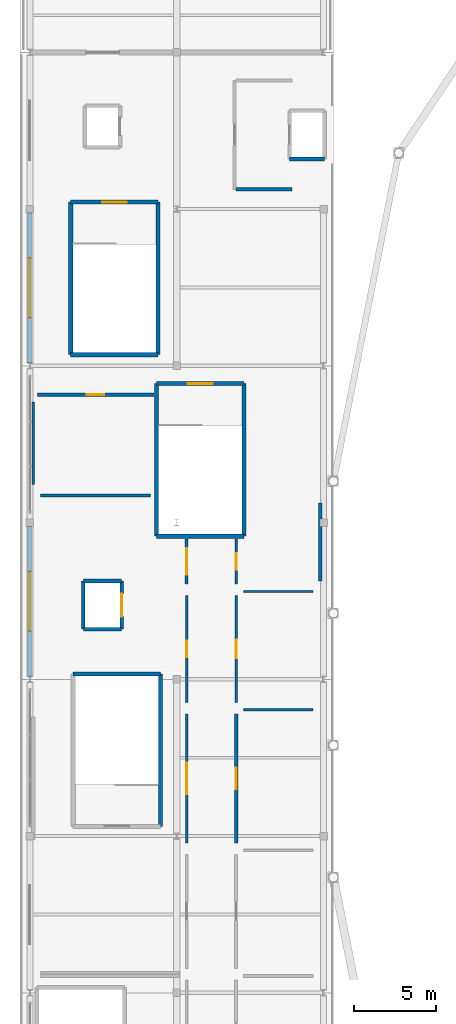
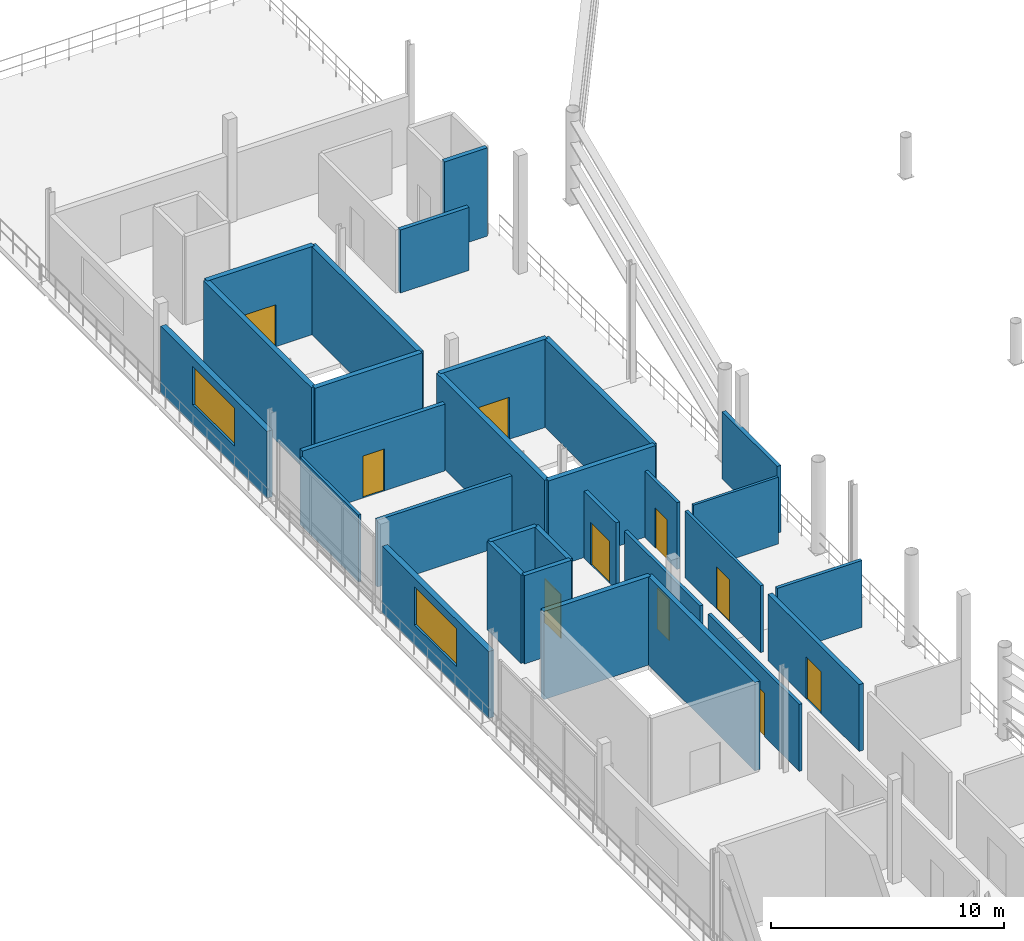
# One storey, part 25 of 29: 30 walls, 10 doors, 2 windows, 12 openings.
"""IFC4 building model written with IfcOpenShell, lengths in metres."""

from ifc_helpers import new_model, si_unit, direction, frame, frame_2d, origin, place, context, subcontext, project, spatial, rectangle, extrude, material, layer, layer_set, type_object, element, fill, save


model = new_model("IFC4")

# Units and contexts
model_context = context("Model", 3, precision=1e-05, world=origin(), true_north=direction((0.0, 1.0)))
body_context = subcontext(model_context, "Body", "Model", "MODEL_VIEW")
ifc_project = project(units=[si_unit("LENGTHUNIT", "METRE"), si_unit("AREAUNIT", "SQUARE_METRE"), si_unit("VOLUMEUNIT", "CUBIC_METRE"), si_unit("PLANEANGLEUNIT", "RADIAN"), si_unit("MASSUNIT", "GRAM", prefix="KILO")], contexts=[model_context])

# Site, building, storey
site_placement = place(None, origin())
site = spatial("IfcSite", under=ifc_project, at=site_placement, CompositionType="ELEMENT")
building_placement = place(site_placement, origin())
building = spatial("IfcBuilding", under=site, at=building_placement, Name="Candeia Ridge Stadium", CompositionType="ELEMENT")
storey_placement = place(building_placement, frame((0.0, 0.0, 27.0)))
storey = spatial("IfcBuildingStorey", under=building, at=storey_placement, Name="L05", CompositionType="ELEMENT", Elevation=27.0)

# Wall, opening, door
ifc_material_1 = material(Name="Gypsum Metal-Stud Partition", Category="gypsum")
ifc_layer_1 = layer(ifc_material_1, 0.14501953125, Name="Gypsum Metal-Stud Partition", Category="gypsum")
ifc_layer_set_1 = layer_set([ifc_layer_1], Name="Gypsum Metal-Stud Partition")
wall_type_1 = type_object("IfcWallType", Name="Athlete Recovery Partition 145", PredefinedType="PARTITIONING", material=ifc_layer_set_1)
wall_1_placement = place(storey_placement, frame((13.10009765625, 81.60302734375, 0.0), z_axis=(0.0, 0.0, 1.0), x_axis=(0.0, 1.0, 0.0)))
wall_1 = element("IfcWall", 1, at=wall_1_placement, inside=storey, type_object=wall_type_1, Name="Interior partition PT-L05-0693", PredefinedType="PARTITIONING", context=body_context, shape_type="SweptSolid", body=[
    extrude(rectangle(XDim=6.469970703125, YDim=0.14501953125, at=frame_2d((3.23486328125, 0.0))), origin(), (0.0, 0.0, 1.0), 3.5),
])
opening_1_placement = place(wall_1_placement, frame((2.675048828125, 0.0, 0.0)))
opening_1 = element("IfcOpeningElement", 2, at=opening_1_placement, cuts=wall_1, Name="Opening ID18", PredefinedType="OPENING", context=body_context, shape_type="SweptSolid", body=[
    extrude(rectangle(XDim=1.1201171875, YDim=2.199951171875, at=frame_2d((0.56005859375, 1.10009765625))), frame((0.0, 0.08251953125, 0.0), z_axis=(0.0, -1.0, 0.0), x_axis=(1.0, 0.0, 0.0)), (0.0, 0.0, 1.0), 0.1650390625),
])
ifc_material_2 = material(Name="Galvanized Fire-Rated Steel", Category="steel")
door_type_1 = type_object("IfcDoorType", Name="Control Room Security Door 1120x2200", OperationType="NOTDEFINED", PredefinedType="DOOR", material=ifc_material_2)
door_1_placement = place(opening_1_placement, frame((1.1201171875, 0.0, 0.0), z_axis=(0.0, 0.0, 1.0), x_axis=(-1.0, 0.0, 0.0)))
door_1 = element("IfcDoor", 3, at=door_1_placement, inside=storey, type_object=door_type_1, Name="Interior room door D-L05-0356", OperationType="SINGLE_SWING_RIGHT", OverallHeight=2.199951171875, OverallWidth=1.1201171875, PredefinedType="DOOR", context=body_context, shape_type="SweptSolid", body=[
    extrude(rectangle(XDim=1.1201171875, YDim=2.199951171875, at=frame_2d((0.56005859375, 1.10009765625))), frame((0.0, 0.02490234375, 0.0), z_axis=(0.0, -1.0, 0.0), x_axis=(1.0, 0.0, 0.0)), (0.0, 0.0, 1.0), 0.050048828125),
])
fill(opening_1, door_1)

# Wall
ifc_material_3 = material(Name="Gypsum Acoustic Twin-Stud Assembly", Category="gypsum")
ifc_layer_2 = layer(ifc_material_3, 0.159912109375, Name="Gypsum Acoustic Twin-Stud Assembly", Category="gypsum")
ifc_layer_set_2 = layer_set([ifc_layer_2], Name="Gypsum Acoustic Twin-Stud Assembly")
wall_type_2 = type_object("IfcWallType", Name="Club Dining Acoustic Partition 160", PredefinedType="PARTITIONING", material=ifc_layer_set_2)
wall_2_placement = place(storey_placement, frame((13.550048828125, 81.153076171875, 0.0), z_axis=(0.0, 0.0, 1.0), x_axis=(1.0, 0.0, 0.0)))
element("IfcWall", 4, at=wall_2_placement, inside=storey, type_object=wall_type_2, Name="Demising partition PT-L05-0691", PredefinedType="PARTITIONING", context=body_context, shape_type="SweptSolid", body=[
    extrude(rectangle(XDim=4.199951171875, YDim=0.159912109375, at=frame_2d((2.10009765625, 0.0))), origin(), (0.0, 0.0, 1.0), 3.5),
])

# Wall, opening, door
wall_3_placement = place(storey_placement, frame((10.10009765625, 88.072998046875, 0.0), z_axis=(0.0, 0.0, 1.0), x_axis=(0.0, -1.0, 0.0)))
wall_3 = element("IfcWall", 5, at=wall_3_placement, inside=storey, type_object=wall_type_2, Name="Interior partition PT-L05-0692", PredefinedType="PARTITIONING", context=body_context, shape_type="SweptSolid", body=[
    extrude(rectangle(XDim=6.469970703125, YDim=0.159912109375, at=frame_2d((3.23486328125, 0.0))), origin(), (0.0, 0.0, 1.0), 3.5),
])
opening_2_placement = place(wall_3_placement, frame((2.72509765625, 0.0, 0.0)))
opening_2 = element("IfcOpeningElement", 6, at=opening_2_placement, cuts=wall_3, Name="Opening ID16", PredefinedType="OPENING", context=body_context, shape_type="SweptSolid", body=[
    extrude(rectangle(XDim=1.02001953125, YDim=2.14990234375, at=frame_2d((0.510009765625, 1.074951171875))), frame((0.0, 0.08984375, 0.0), z_axis=(0.0, -1.0, 0.0), x_axis=(1.0, 0.0, 0.0)), (0.0, 0.0, 1.0), 0.179931640625),
])
ifc_material_4 = material(Name="Solid Core Cedar Veneer", Category="wood")
door_type_2 = type_object("IfcDoorType", Name="Community Classroom Door 1020x2150", OperationType="NOTDEFINED", PredefinedType="DOOR", material=ifc_material_4)
door_2_placement = place(opening_2_placement, frame((1.02001953125, 0.0, 0.0), z_axis=(0.0, 0.0, 1.0), x_axis=(-1.0, 0.0, 0.0)))
door_2 = element("IfcDoor", 7, at=door_2_placement, inside=storey, type_object=door_type_2, Name="Interior room door D-L05-0355", OperationType="SINGLE_SWING_LEFT", OverallHeight=2.14990234375, OverallWidth=1.02001953125, PredefinedType="DOOR", context=body_context, shape_type="SweptSolid", body=[
    extrude(rectangle(XDim=1.02001953125, YDim=2.14990234375, at=frame_2d((0.510009765625, 1.074951171875))), frame((0.0, 0.02490234375, 0.0), z_axis=(0.0, -1.0, 0.0), x_axis=(1.0, 0.0, 0.0)), (0.0, 0.0, 1.0), 0.050048828125),
])
fill(opening_2, door_2)

ifc_material_5 = material(Name="Concrete Masonry Blockwork C25/30", Category="masonry")
ifc_layer_3 = layer(ifc_material_5, 0.14990234375, Name="Concrete Masonry Blockwork C25/30", Category="masonry")
ifc_layer_set_3 = layer_set([ifc_layer_3], Name="Concrete Masonry Blockwork C25/30")
wall_type_3 = type_object("IfcWallType", Name="Concourse Kiosk Partition 150", PredefinedType="PARTITIONING", material=ifc_layer_set_3)
wall_4_placement = place(storey_placement, frame((10.10009765625, 80.903076171875, 0.0), z_axis=(0.0, 0.0, 1.0), x_axis=(0.0, -1.0, 0.0)))
wall_4 = element("IfcWall", 8, at=wall_4_placement, inside=storey, type_object=wall_type_3, Name="Interior partition PT-L05-0688", PredefinedType="PARTITIONING", context=body_context, shape_type="SweptSolid", body=[
    extrude(rectangle(XDim=7.815185546875, YDim=0.14990234375, at=frame_2d((3.90771484375, 0.0))), origin(), (0.0, 0.0, 1.0), 3.5),
])
opening_3_placement = place(wall_4_placement, frame((2.95751953125, 0.0, 0.0)))
opening_3 = element("IfcOpeningElement", 9, at=opening_3_placement, cuts=wall_4, Name="Opening ID10", PredefinedType="OPENING", context=body_context, shape_type="SweptSolid", body=[
    extrude(rectangle(XDim=1.89990234375, YDim=2.300048828125, at=frame_2d((0.949951171875, 1.14990234375))), frame((0.0, 0.0849609375, 0.0), z_axis=(0.0, -1.0, 0.0), x_axis=(1.0, 0.0, 0.0)), (0.0, 0.0, 1.0), 0.169921875),
])
ifc_material_6 = material(Name="Timber Fire-Rated Acoustic", Category="wood")
door_type_3 = type_object("IfcDoorType", Name="Museum Exhibition Double Door 1900x2300", OperationType="NOTDEFINED", PredefinedType="DOOR", material=ifc_material_6)
door_3_placement = place(opening_3_placement, origin())
door_3 = element("IfcDoor", 10, at=door_3_placement, inside=storey, type_object=door_type_3, Name="Interior room door D-L05-0353", OperationType="DOUBLE_DOOR_SINGLE_SWING", OverallHeight=2.300048828125, OverallWidth=1.89990234375, PredefinedType="DOOR", context=body_context, shape_type="SweptSolid", body=[
    extrude(rectangle(XDim=1.89990234375, YDim=2.300048828125, at=frame_2d((0.949951171875, 1.14990234375))), frame((0.0, 0.02490234375, 0.0), z_axis=(0.0, -1.0, 0.0), x_axis=(1.0, 0.0, 0.0)), (0.0, 0.0, 1.0), 0.050048828125),
])
fill(opening_3, door_3)

wall_5_placement = place(storey_placement, frame((13.10009765625, 88.77294921875, 0.0), z_axis=(0.0, 0.0, 1.0), x_axis=(0.0, 1.0, 0.0)))
wall_5 = element("IfcWall", 11, at=wall_5_placement, inside=storey, type_object=wall_type_3, Name="Interior partition PT-L05-0697", PredefinedType="PARTITIONING", context=body_context, shape_type="SweptSolid", body=[
    extrude(rectangle(XDim=2.737060546875, YDim=0.14990234375, at=frame_2d((1.36865234375, 0.0))), origin(), (0.0, 0.0, 1.0), 3.5),
])
opening_4_placement = place(wall_5_placement, frame((0.868408203125, 0.0, 0.0)))
opening_4 = element("IfcOpeningElement", 12, at=opening_4_placement, cuts=wall_5, Name="Opening ID06", PredefinedType="OPENING", context=body_context, shape_type="SweptSolid", body=[
    extrude(rectangle(XDim=1.0, YDim=2.10009765625, at=frame_2d((0.5, 1.050048828125))), frame((0.0, 0.0849609375, 0.0), z_axis=(0.0, -1.0, 0.0), x_axis=(1.0, 0.0, 0.0)), (0.0, 0.0, 1.0), 0.169921875),
])
ifc_material_7 = material(Name="Moisture-Resistant Laminate", Category="wood")
door_type_4 = type_object("IfcDoorType", Name="Accessible Sanitary Door 1000x2100", OperationType="NOTDEFINED", PredefinedType="DOOR", material=ifc_material_7)
door_4_placement = place(opening_4_placement, origin())
door_4 = element("IfcDoor", 13, at=door_4_placement, inside=storey, type_object=door_type_4, Name="Interior room door D-L05-0358", OperationType="SINGLE_SWING_LEFT", OverallHeight=2.10009765625, OverallWidth=1.0, PredefinedType="DOOR", context=body_context, shape_type="SweptSolid", body=[
    extrude(rectangle(XDim=1.0, YDim=2.10009765625, at=frame_2d((0.5, 1.050048828125))), frame((0.0, 0.02490234375, 0.0), z_axis=(0.0, -1.0, 0.0), x_axis=(1.0, 0.0, 0.0)), (0.0, 0.0, 1.0), 0.050048828125),
])
fill(opening_4, door_4)

# Walls
ifc_material_8 = material(Name="Concrete C40/50", Category="concrete")
ifc_layer_4 = layer(ifc_material_8, 0.25, Name="Concrete C40/50", Category="concrete")
ifc_layer_set_4 = layer_set([ifc_layer_4], Name="Concrete C40/50")
wall_type_4 = type_object("IfcWallType", Name="Core Shear Wall Concrete 250", PredefinedType="SHEAR", material=ifc_layer_set_4)
wall_6_placement = place(storey_placement, frame((3.075439453125, 111.924560546875, 0.0), z_axis=(0.0, 0.0, 1.0), x_axis=(0.0, -1.0, 0.0)))
element("IfcWall", 14, at=wall_6_placement, inside=storey, type_object=wall_type_4, Name="Core C06 left shear wall L05", PredefinedType="SHEAR", context=body_context, shape_type="SweptSolid", body=[
    extrude(rectangle(XDim=9.249267578125, YDim=0.25, at=frame_2d((4.62451171875, 0.0))), origin(), (0.0, 0.0, 1.0), 4.6201171875),
])
wall_7_placement = place(storey_placement, frame((3.075439453125, 102.67529296875, 0.0), z_axis=(0.0, 0.0, 1.0), x_axis=(1.0, 0.0, 0.0)))
element("IfcWall", 15, at=wall_7_placement, inside=storey, type_object=wall_type_4, Name="Core C06 far shear wall L05", PredefinedType="SHEAR", context=body_context, shape_type="SweptSolid", body=[
    extrude(rectangle(XDim=5.299072265625, YDim=0.25, at=frame_2d((2.6494140625, 0.0))), origin(), (0.0, 0.0, 1.0), 4.6201171875),
])
wall_8_placement = place(storey_placement, frame((8.37451171875, 102.67529296875, 0.0), z_axis=(0.0, 0.0, 1.0), x_axis=(0.0, 1.0, 0.0)))
element("IfcWall", 16, at=wall_8_placement, inside=storey, type_object=wall_type_4, Name="Core C06 right shear wall L05", PredefinedType="SHEAR", context=body_context, shape_type="SweptSolid", body=[
    extrude(rectangle(XDim=9.249267578125, YDim=0.25, at=frame_2d((4.62451171875, 0.0))), origin(), (0.0, 0.0, 1.0), 4.6201171875),
])

# Wall, opening, door
wall_9_placement = place(storey_placement, frame((8.37451171875, 111.924560546875, 0.0), z_axis=(0.0, 0.0, 1.0), x_axis=(-1.0, 0.0, 0.0)))
wall_9 = element("IfcWall", 17, at=wall_9_placement, inside=storey, type_object=wall_type_4, Name="Core C06 near shear wall L05", PredefinedType="SHEAR", context=body_context, shape_type="SweptSolid", body=[
    extrude(rectangle(XDim=5.299072265625, YDim=0.25, at=frame_2d((2.6494140625, 0.0))), origin(), (0.0, 0.0, 1.0), 4.6201171875),
])
opening_5_placement = place(wall_9_placement, frame((1.899658203125, 0.0, 0.0)))
opening_5 = element("IfcOpeningElement", 18, at=opening_5_placement, cuts=wall_9, Name="Opening FD01", PredefinedType="OPENING", context=body_context, shape_type="SweptSolid", body=[
    extrude(rectangle(XDim=1.5, YDim=2.199951171875, at=frame_2d((0.75, 1.10009765625))), frame((0.0, 0.135009765625, 0.0), z_axis=(0.0, -1.0, 0.0), x_axis=(1.0, 0.0, 0.0)), (0.0, 0.0, 1.0), 0.27001953125),
])
door_type_5 = type_object("IfcDoorType", Name="Exit Stair Core Fire Door 1500x2200", OperationType="NOTDEFINED", PredefinedType="DOOR", material=ifc_material_2)
door_5_placement = place(opening_5_placement, origin())
door_5 = element("IfcDoor", 19, at=door_5_placement, inside=storey, type_object=door_type_5, Name="Exit stair fire door SD-ST06-L05", OperationType="DOUBLE_DOOR_SINGLE_SWING", OverallHeight=2.199951171875, OverallWidth=1.5, PredefinedType="DOOR", context=body_context, shape_type="SweptSolid", body=[
    extrude(rectangle(XDim=1.5, YDim=2.199951171875, at=frame_2d((0.75, 1.10009765625))), frame((0.0, 0.02490234375, 0.0), z_axis=(0.0, -1.0, 0.0), x_axis=(1.0, 0.0, 0.0)), (0.0, 0.0, 1.0), 0.050048828125),
])
fill(opening_5, door_5)

# Walls
wall_10_placement = place(storey_placement, frame((8.524658203125, 74.075439453125, 0.0), z_axis=(0.0, 0.0, 1.0), x_axis=(0.0, 1.0, 0.0)))
element("IfcWall", 20, at=wall_10_placement, inside=storey, type_object=wall_type_4, Name="Core C07 left shear wall L05", PredefinedType="SHEAR", context=body_context, shape_type="SweptSolid", body=[
    extrude(rectangle(XDim=9.249267578125, YDim=0.25, at=frame_2d((4.62451171875, 0.0))), origin(), (0.0, 0.0, 1.0), 4.6201171875),
])
wall_11_placement = place(storey_placement, frame((8.524658203125, 83.32470703125, 0.0), z_axis=(0.0, 0.0, 1.0), x_axis=(-1.0, 0.0, 0.0)))
element("IfcWall", 21, at=wall_11_placement, inside=storey, type_object=wall_type_4, Name="Core C07 far shear wall L05", PredefinedType="SHEAR", context=body_context, shape_type="SweptSolid", body=[
    extrude(rectangle(XDim=5.29931640625, YDim=0.25, at=frame_2d((2.649658203125, 0.0))), origin(), (0.0, 0.0, 1.0), 4.6201171875),
])
wall_12_placement = place(storey_placement, frame((8.275390625, 100.924560546875, 0.0), z_axis=(0.0, 0.0, 1.0), x_axis=(0.0, -1.0, 0.0)))
element("IfcWall", 22, at=wall_12_placement, inside=storey, type_object=wall_type_4, Name="Core C08 left shear wall L05", PredefinedType="SHEAR", context=body_context, shape_type="SweptSolid", body=[
    extrude(rectangle(XDim=9.249267578125, YDim=0.25, at=frame_2d((4.62451171875, 0.0))), origin(), (0.0, 0.0, 1.0), 4.6201171875),
])
wall_13_placement = place(storey_placement, frame((8.275390625, 91.67529296875, 0.0), z_axis=(0.0, 0.0, 1.0), x_axis=(1.0, 0.0, 0.0)))
element("IfcWall", 23, at=wall_13_placement, inside=storey, type_object=wall_type_4, Name="Core C08 far shear wall L05", PredefinedType="SHEAR", context=body_context, shape_type="SweptSolid", body=[
    extrude(rectangle(XDim=5.29931640625, YDim=0.25, at=frame_2d((2.649658203125, 0.0))), origin(), (0.0, 0.0, 1.0), 4.6201171875),
])
wall_14_placement = place(storey_placement, frame((13.57470703125, 91.67529296875, 0.0), z_axis=(0.0, 0.0, 1.0), x_axis=(0.0, 1.0, 0.0)))
element("IfcWall", 24, at=wall_14_placement, inside=storey, type_object=wall_type_4, Name="Core C08 right shear wall L05", PredefinedType="SHEAR", context=body_context, shape_type="SweptSolid", body=[
    extrude(rectangle(XDim=9.249267578125, YDim=0.25, at=frame_2d((4.62451171875, 0.0))), origin(), (0.0, 0.0, 1.0), 4.6201171875),
])

# Wall, opening, door
wall_15_placement = place(storey_placement, frame((13.57470703125, 100.924560546875, 0.0), z_axis=(0.0, 0.0, 1.0), x_axis=(-1.0, 0.0, 0.0)))
wall_15 = element("IfcWall", 25, at=wall_15_placement, inside=storey, type_object=wall_type_4, Name="Core C08 near shear wall L05", PredefinedType="SHEAR", context=body_context, shape_type="SweptSolid", body=[
    extrude(rectangle(XDim=5.29931640625, YDim=0.25, at=frame_2d((2.649658203125, 0.0))), origin(), (0.0, 0.0, 1.0), 4.6201171875),
])
opening_6_placement = place(wall_15_placement, frame((1.899658203125, 0.0, 0.0)))
opening_6 = element("IfcOpeningElement", 26, at=opening_6_placement, cuts=wall_15, Name="Opening FD01", PredefinedType="OPENING", context=body_context, shape_type="SweptSolid", body=[
    extrude(rectangle(XDim=1.5, YDim=2.199951171875, at=frame_2d((0.75, 1.10009765625))), frame((0.0, 0.135009765625, 0.0), z_axis=(0.0, -1.0, 0.0), x_axis=(1.0, 0.0, 0.0)), (0.0, 0.0, 1.0), 0.27001953125),
])
door_6_placement = place(opening_6_placement, origin())
door_6 = element("IfcDoor", 27, at=door_6_placement, inside=storey, type_object=door_type_5, Name="Exit stair fire door SD-ST08-L05", OperationType="DOUBLE_DOOR_SINGLE_SWING", OverallHeight=2.199951171875, OverallWidth=1.5, PredefinedType="DOOR", context=body_context, shape_type="SweptSolid", body=[
    extrude(rectangle(XDim=1.5, YDim=2.199951171875, at=frame_2d((0.75, 1.10009765625))), frame((0.0, 0.02490234375, 0.0), z_axis=(0.0, -1.0, 0.0), x_axis=(1.0, 0.0, 0.0)), (0.0, 0.0, 1.0), 0.050048828125),
])
fill(opening_6, door_6)

ifc_layer_5 = layer(ifc_material_3, 0.179931640625, Name="Gypsum Acoustic Twin-Stud Assembly", Category="gypsum")
ifc_layer_set_5 = layer_set([ifc_layer_5], Name="Gypsum Acoustic Twin-Stud Assembly")
wall_type_5 = type_object("IfcWallType", Name="Corridor Fire Partition 180", PredefinedType="PARTITIONING", material=ifc_layer_set_5)
wall_16_placement = place(storey_placement, frame((10.10009765625, 91.510009765625, 0.0), z_axis=(0.0, 0.0, 1.0), x_axis=(0.0, -1.0, 0.0)))
wall_16 = element("IfcWall", 28, at=wall_16_placement, inside=storey, type_object=wall_type_5, Name="Interior partition PT-L05-0695", PredefinedType="PARTITIONING", context=body_context, shape_type="SweptSolid", body=[
    extrude(rectangle(XDim=2.737060546875, YDim=0.179931640625, at=frame_2d((1.36865234375, 0.0))), origin(), (0.0, 0.0, 1.0), 3.5),
])
opening_7_placement = place(wall_16_placement, frame((0.568603515625, 0.0, 0.0)))
opening_7 = element("IfcOpeningElement", 29, at=opening_7_placement, cuts=wall_16, Name="Opening ID03", PredefinedType="OPENING", context=body_context, shape_type="SweptSolid", body=[
    extrude(rectangle(XDim=1.60009765625, YDim=2.199951171875, at=frame_2d((0.800048828125, 1.10009765625))), frame((0.0, 0.099853515625, 0.0), z_axis=(0.0, -1.0, 0.0), x_axis=(1.0, 0.0, 0.0)), (0.0, 0.0, 1.0), 0.199951171875),
])
ifc_material_9 = material(Name="Solid Core Hardwood Veneer", Category="wood")
door_type_6 = type_object("IfcDoorType", Name="Athlete Dressing Double Door 1600x2200", OperationType="NOTDEFINED", PredefinedType="DOOR", material=ifc_material_9)
door_7_placement = place(opening_7_placement, origin())
door_7 = element("IfcDoor", 30, at=door_7_placement, inside=storey, type_object=door_type_6, Name="Interior room door D-L05-0357", OperationType="DOUBLE_DOOR_SINGLE_SWING", OverallHeight=2.199951171875, OverallWidth=1.60009765625, PredefinedType="DOOR", context=body_context, shape_type="SweptSolid", body=[
    extrude(rectangle(XDim=1.60009765625, YDim=2.199951171875, at=frame_2d((0.800048828125, 1.10009765625))), frame((0.0, 0.02490234375, 0.0), z_axis=(0.0, -1.0, 0.0), x_axis=(1.0, 0.0, 0.0)), (0.0, 0.0, 1.0), 0.050048828125),
])
fill(opening_7, door_7)

# Wall
wall_17_placement = place(storey_placement, frame((1.25, 94.14892578125, 0.0), z_axis=(0.0, 0.0, 1.0), x_axis=(1.0, 0.0, 0.0)))
element("IfcWall", 31, at=wall_17_placement, inside=storey, type_object=wall_type_5, Name="Demising partition PT-L05-0696", PredefinedType="PARTITIONING", context=body_context, shape_type="SweptSolid", body=[
    extrude(rectangle(XDim=6.659912109375, YDim=0.179931640625, at=frame_2d((3.330078125, 0.0))), origin(), (0.0, 0.0, 1.0), 3.5),
])

# Wall, opening, window
ifc_material_10 = material(Name="Concrete C35/45", Category="concrete")
ifc_layer_6 = layer(ifc_material_10, 0.27490234375, Name="Concrete C35/45", Category="concrete")
ifc_layer_set_6 = layer_set([ifc_layer_6], Name="Concrete C35/45")
wall_type_6 = type_object("IfcWallType", Name="Exterior Gondola Insulated Wall 275", PredefinedType="STANDARD", material=ifc_layer_set_6)
wall_18_placement = place(storey_placement, frame((0.60009765625, 83.16943359375, 0.0), z_axis=(0.0, 0.0, 1.0), x_axis=(0.0, 1.0, 0.0)))
wall_18 = element("IfcWall", 32, at=wall_18_placement, inside=storey, type_object=wall_type_6, Name="Exterior facade wall EW-L05-0112", PredefinedType="STANDARD", context=body_context, shape_type="SweptSolid", body=[
    extrude(rectangle(XDim=9.11767578125, YDim=0.27490234375, at=frame_2d((4.558837890625, 0.0))), origin(), (0.0, 0.0, 1.0), 3.5),
])
opening_8_placement = place(wall_18_placement, frame((2.7587890625, 0.0, 1.050048828125)))
opening_8 = element("IfcOpeningElement", 33, at=opening_8_placement, cuts=wall_18, Name="Opening W10", PredefinedType="OPENING", context=body_context, shape_type="SweptSolid", body=[
    extrude(rectangle(XDim=3.60009765625, YDim=2.0, at=frame_2d((1.800048828125, 1.0))), frame((0.0, 0.1474609375, 0.0), z_axis=(0.0, -1.0, 0.0), x_axis=(1.0, 0.0, 0.0)), (0.0, 0.0, 1.0), 0.294921875),
])
ifc_material_11 = material(Name="Tempered Solar-Control Double Glazing", Category="glass")
window_type = type_object("IfcWindowType", Name="Press Gondola Viewing Window 3600x2000", PartitioningType="SINGLE_PANEL", PredefinedType="WINDOW", material=ifc_material_11)
window_1_placement = place(opening_8_placement, origin())
window_1 = element("IfcWindow", 34, at=window_1_placement, inside=storey, type_object=window_type, Name="Exterior window WIN-L05-063", OverallHeight=2.0, OverallWidth=3.60009765625, PartitioningType="SINGLE_PANEL", PredefinedType="WINDOW", context=body_context, shape_type="SweptSolid", body=[
    extrude(rectangle(XDim=3.60009765625, YDim=2.0, at=frame_2d((1.800048828125, 1.0))), frame((0.0, 0.030029296875, 0.0), z_axis=(0.0, -1.0, 0.0), x_axis=(1.0, 0.0, 0.0)), (0.0, 0.0, 1.0), 0.06005859375),
])
fill(opening_8, window_1)

wall_19_placement = place(storey_placement, frame((0.60009765625, 102.16943359375, 0.0), z_axis=(0.0, 0.0, 1.0), x_axis=(0.0, 1.0, 0.0)))
wall_19 = element("IfcWall", 35, at=wall_19_placement, inside=storey, type_object=wall_type_6, Name="Exterior facade wall EW-L05-0113", PredefinedType="STANDARD", context=body_context, shape_type="SweptSolid", body=[
    extrude(rectangle(XDim=9.11767578125, YDim=0.27490234375, at=frame_2d((4.558837890625, 0.0))), origin(), (0.0, 0.0, 1.0), 3.5),
])
opening_9_placement = place(wall_19_placement, frame((2.7587890625, 0.0, 1.050048828125)))
opening_9 = element("IfcOpeningElement", 36, at=opening_9_placement, cuts=wall_19, Name="Opening W10", PredefinedType="OPENING", context=body_context, shape_type="SweptSolid", body=[
    extrude(rectangle(XDim=3.60009765625, YDim=2.0, at=frame_2d((1.800048828125, 1.0))), frame((0.0, 0.1474609375, 0.0), z_axis=(0.0, -1.0, 0.0), x_axis=(1.0, 0.0, 0.0)), (0.0, 0.0, 1.0), 0.294921875),
])
window_2_placement = place(opening_9_placement, origin())
window_2 = element("IfcWindow", 37, at=window_2_placement, inside=storey, type_object=window_type, Name="Exterior window WIN-L05-064", OverallHeight=2.0, OverallWidth=3.60009765625, PartitioningType="SINGLE_PANEL", PredefinedType="WINDOW", context=body_context, shape_type="SweptSolid", body=[
    extrude(rectangle(XDim=3.60009765625, YDim=2.0, at=frame_2d((1.800048828125, 1.0))), frame((0.0, 0.030029296875, 0.0), z_axis=(0.0, -1.0, 0.0), x_axis=(1.0, 0.0, 0.0)), (0.0, 0.0, 1.0), 0.06005859375),
])
fill(opening_9, window_2)

# Walls
ifc_layer_7 = layer(ifc_material_10, 0.199951171875, Name="Concrete C35/45", Category="concrete")
ifc_layer_set_7 = layer_set([ifc_layer_7], Name="Concrete C35/45")
wall_type_7 = type_object("IfcWallType", Name="Firefighting Lobby Rated Wall 200", PredefinedType="SOLIDWALL", material=ifc_layer_set_7)
wall_20_placement = place(storey_placement, frame((13.10009765625, 112.699951171875, 0.0), z_axis=(0.0, 0.0, 1.0), x_axis=(1.0, 0.0, 0.0)))
element("IfcWall", 38, at=wall_20_placement, inside=storey, type_object=wall_type_7, Name="Firefighting lift lobby FF2 rated wall L05 south", PredefinedType="SOLIDWALL", context=body_context, shape_type="SweptSolid", body=[
    extrude(rectangle(XDim=3.39990234375, YDim=0.199951171875, at=frame_2d((1.699951171875, 0.0))), origin(), (0.0, 0.0, 1.0), 3.300048828125),
])
ifc_layer_8 = layer(ifc_material_1, 0.135009765625, Name="Gypsum Metal-Stud Partition", Category="gypsum")
ifc_layer_set_8 = layer_set([ifc_layer_8], Name="Gypsum Metal-Stud Partition")
wall_type_8 = type_object("IfcWallType", Name="General Room Partition 135", PredefinedType="PARTITIONING", material=ifc_layer_set_8)
wall_21_placement = place(storey_placement, frame((0.800048828125, 94.799072265625, 0.0), z_axis=(0.0, 0.0, 1.0), x_axis=(0.0, 1.0, 0.0)))
element("IfcWall", 39, at=wall_21_placement, inside=storey, type_object=wall_type_8, Name="Demising partition PT-L05-0700", PredefinedType="PARTITIONING", context=body_context, shape_type="SweptSolid", body=[
    extrude(rectangle(XDim=4.994873046875, YDim=0.135009765625, at=frame_2d((2.49755859375, 0.0))), origin(), (0.0, 0.0, 1.0), 3.5),
])
ifc_layer_9 = layer(ifc_material_8, 0.219970703125, Name="Concrete C40/50", Category="concrete")
ifc_layer_set_9 = layer_set([ifc_layer_9], Name="Concrete C40/50")
wall_type_9 = type_object("IfcWallType", Name="Lift & Riser Shaft Wall 220", PredefinedType="SHEAR", material=ifc_layer_set_9)
wall_22_placement = place(storey_placement, frame((16.340087890625, 114.5400390625, 0.0), z_axis=(0.0, 0.0, 1.0), x_axis=(1.0, 0.0, 0.0)))
element("IfcWall", 40, at=wall_22_placement, inside=storey, type_object=wall_type_9, Name="Lift FF2 shaft wall L05 south", PredefinedType="SHEAR", context=body_context, shape_type="SweptSolid", body=[
    extrude(rectangle(XDim=2.119873046875, YDim=0.219970703125, at=frame_2d((1.06005859375, 0.0))), origin(), (0.0, 0.0, 1.0), 4.6201171875),
])
wall_23_placement = place(storey_placement, frame((3.840087890625, 86.0400390625, 0.0), z_axis=(0.0, 0.0, 1.0), x_axis=(1.0, 0.0, 0.0)))
element("IfcWall", 41, at=wall_23_placement, inside=storey, type_object=wall_type_9, Name="Lift GL1 shaft wall L05 south", PredefinedType="SHEAR", context=body_context, shape_type="SweptSolid", body=[
    extrude(rectangle(XDim=2.31982421875, YDim=0.219970703125, at=frame_2d((1.159912109375, 0.0))), origin(), (0.0, 0.0, 1.0), 4.6201171875),
])

# Wall, opening, door
wall_24_placement = place(storey_placement, frame((6.159912109375, 86.0400390625, 0.0), z_axis=(0.0, 0.0, 1.0), x_axis=(0.0, 1.0, 0.0)))
wall_24 = element("IfcWall", 42, at=wall_24_placement, inside=storey, type_object=wall_type_9, Name="Lift GL1 shaft wall L05 east", PredefinedType="SHEAR", context=body_context, shape_type="SweptSolid", body=[
    extrude(rectangle(XDim=2.919921875, YDim=0.219970703125, at=frame_2d((1.4599609375, 0.0))), origin(), (0.0, 0.0, 1.0), 4.6201171875),
])
opening_10_placement = place(wall_24_placement, frame((0.760009765625, 0.0, 0.0)))
opening_10 = element("IfcOpeningElement", 43, at=opening_10_placement, cuts=wall_24, Name="Opening LD03", PredefinedType="OPENING", context=body_context, shape_type="SweptSolid", body=[
    extrude(rectangle(XDim=1.39990234375, YDim=2.300048828125, at=frame_2d((0.699951171875, 1.14990234375))), frame((0.0, 0.119873046875, 0.0), z_axis=(0.0, -1.0, 0.0), x_axis=(1.0, 0.0, 0.0)), (0.0, 0.0, 1.0), 0.239990234375),
])
ifc_material_12 = material(Name="Brushed Stainless Steel", Category="steel")
door_type_7 = type_object("IfcDoorType", Name="Goods Lift Landing Door 1400x2300", OperationType="NOTDEFINED", PredefinedType="DOOR", material=ifc_material_12)
door_8_placement = place(opening_10_placement, origin())
door_8 = element("IfcDoor", 44, at=door_8_placement, inside=storey, type_object=door_type_7, Name="Lift landing sliding door LD-GL1-L05", OperationType="DOUBLE_DOOR_SLIDING", OverallHeight=2.300048828125, OverallWidth=1.39990234375, PredefinedType="DOOR", context=body_context, shape_type="SweptSolid", body=[
    extrude(rectangle(XDim=1.39990234375, YDim=2.300048828125, at=frame_2d((0.699951171875, 1.14990234375))), frame((0.0, 0.02490234375, 0.0), z_axis=(0.0, -1.0, 0.0), x_axis=(1.0, 0.0, 0.0)), (0.0, 0.0, 1.0), 0.050048828125),
])
fill(opening_10, door_8)

# Walls
wall_25_placement = place(storey_placement, frame((6.159912109375, 88.9599609375, 0.0), z_axis=(0.0, 0.0, 1.0), x_axis=(-1.0, 0.0, 0.0)))
element("IfcWall", 45, at=wall_25_placement, inside=storey, type_object=wall_type_9, Name="Lift GL1 shaft wall L05 north", PredefinedType="SHEAR", context=body_context, shape_type="SweptSolid", body=[
    extrude(rectangle(XDim=2.31982421875, YDim=0.219970703125, at=frame_2d((1.159912109375, 0.0))), origin(), (0.0, 0.0, 1.0), 4.6201171875),
])
wall_26_placement = place(storey_placement, frame((3.840087890625, 88.9599609375, 0.0), z_axis=(0.0, 0.0, 1.0), x_axis=(0.0, -1.0, 0.0)))
element("IfcWall", 46, at=wall_26_placement, inside=storey, type_object=wall_type_9, Name="Lift GL1 shaft wall L05 west", PredefinedType="SHEAR", context=body_context, shape_type="SweptSolid", body=[
    extrude(rectangle(XDim=2.919921875, YDim=0.219970703125, at=frame_2d((1.4599609375, 0.0))), origin(), (0.0, 0.0, 1.0), 4.6201171875),
])
ifc_material_13 = material(Name="Gypsum Acoustic Triple-Board Wall", Category="gypsum")
ifc_layer_10 = layer(ifc_material_13, 0.18994140625, Name="Gypsum Acoustic Triple-Board Wall", Category="gypsum")
ifc_layer_set_10 = layer_set([ifc_layer_10], Name="Gypsum Acoustic Triple-Board Wall")
wall_type_10 = type_object("IfcWallType", Name="Media & Commentary Studio Wall 190", PredefinedType="PARTITIONING", material=ifc_layer_set_10)
wall_27_placement = place(storey_placement, frame((18.199951171875, 93.698974609375, 0.0), z_axis=(0.0, 0.0, 1.0), x_axis=(0.0, -1.0, 0.0)))
element("IfcWall", 47, at=wall_27_placement, inside=storey, type_object=wall_type_10, Name="Demising partition PT-L05-0698", PredefinedType="PARTITIONING", context=body_context, shape_type="SweptSolid", body=[
    extrude(rectangle(XDim=4.72607421875, YDim=0.18994140625, at=frame_2d((2.363037109375, 0.0))), origin(), (0.0, 0.0, 1.0), 3.5),
])

# Wall, opening, door
ifc_material_14 = material(Name="Moisture-Resistant Masonry & Tile", Category="masonry")
ifc_layer_11 = layer(ifc_material_14, 0.2099609375, Name="Moisture-Resistant Masonry & Tile", Category="masonry")
ifc_layer_set_11 = layer_set([ifc_layer_11], Name="Moisture-Resistant Masonry & Tile")
wall_type_11 = type_object("IfcWallType", Name="Sanitary Wet-Wall Plumbing Chase 210", PredefinedType="PLUMBINGWALL", material=ifc_layer_set_11)
wall_28_placement = place(storey_placement, frame((13.10009765625, 73.087890625, 0.0), z_axis=(0.0, 0.0, 1.0), x_axis=(0.0, 1.0, 0.0)))
wall_28 = element("IfcWall", 48, at=wall_28_placement, inside=storey, type_object=wall_type_11, Name="Interior partition PT-L05-0690", PredefinedType="PLUMBINGWALL", context=body_context, shape_type="SweptSolid", body=[
    extrude(rectangle(XDim=7.815185546875, YDim=0.2099609375, at=frame_2d((3.90771484375, 0.0))), origin(), (0.0, 0.0, 1.0), 3.5),
])
opening_11_placement = place(wall_28_placement, frame((3.257568359375, 0.0, 0.0)))
opening_11 = element("IfcOpeningElement", 49, at=opening_11_placement, cuts=wall_28, Name="Opening ID13", PredefinedType="OPENING", context=body_context, shape_type="SweptSolid", body=[
    extrude(rectangle(XDim=1.300048828125, YDim=2.199951171875, at=frame_2d((0.64990234375, 1.10009765625))), frame((0.0, 0.114990234375, 0.0), z_axis=(0.0, -1.0, 0.0), x_axis=(1.0, 0.0, 0.0)), (0.0, 0.0, 1.0), 0.22998046875),
])
door_type_8 = type_object("IfcDoorType", Name="Medical Clinic Wide Door 1300x2200", OperationType="NOTDEFINED", PredefinedType="DOOR", material=ifc_material_7)
door_9_placement = place(opening_11_placement, origin())
door_9 = element("IfcDoor", 50, at=door_9_placement, inside=storey, type_object=door_type_8, Name="Interior room door D-L05-0354", OperationType="SINGLE_SWING_RIGHT", OverallHeight=2.199951171875, OverallWidth=1.300048828125, PredefinedType="DOOR", context=body_context, shape_type="SweptSolid", body=[
    extrude(rectangle(XDim=1.300048828125, YDim=2.199951171875, at=frame_2d((0.64990234375, 1.10009765625))), frame((0.0, 0.02490234375, 0.0), z_axis=(0.0, -1.0, 0.0), x_axis=(1.0, 0.0, 0.0)), (0.0, 0.0, 1.0), 0.050048828125),
])
fill(opening_11, door_9)

wall_29_placement = place(storey_placement, frame((1.050048828125, 100.243896484375, 0.0), z_axis=(0.0, 0.0, 1.0), x_axis=(1.0, 0.0, 0.0)))
wall_29 = element("IfcWall", 51, at=wall_29_placement, inside=storey, type_object=wall_type_11, Name="Interior partition PT-L05-0699", PredefinedType="PLUMBINGWALL", context=body_context, shape_type="SweptSolid", body=[
    extrude(rectangle(XDim=7.06005859375, YDim=0.2099609375, at=frame_2d((3.530029296875, 0.0))), origin(), (0.0, 0.0, 1.0), 3.5),
])
opening_12_placement = place(wall_29_placement, frame((3.0048828125, 0.0, 0.0)))
opening_12 = element("IfcOpeningElement", 52, at=opening_12_placement, cuts=wall_29, Name="Opening ID01", PredefinedType="OPENING", context=body_context, shape_type="SweptSolid", body=[
    extrude(rectangle(XDim=1.050048828125, YDim=2.199951171875, at=frame_2d((0.52490234375, 1.10009765625))), frame((0.0, 0.114990234375, 0.0), z_axis=(0.0, -1.0, 0.0), x_axis=(1.0, 0.0, 0.0)), (0.0, 0.0, 1.0), 0.22998046875),
])
ifc_material_15 = material(Name="Western Red Cedar Acoustic Veneer", Category="wood")
door_type_9 = type_object("IfcDoorType", Name="Hospitality Suite Entrance Door 1050x2200", OperationType="NOTDEFINED", PredefinedType="DOOR", material=ifc_material_15)
door_10_placement = place(opening_12_placement, origin())
door_10 = element("IfcDoor", 53, at=door_10_placement, inside=storey, type_object=door_type_9, Name="Interior room door D-L05-0359", OperationType="SINGLE_SWING_RIGHT", OverallHeight=2.199951171875, OverallWidth=1.050048828125, PredefinedType="DOOR", context=body_context, shape_type="SweptSolid", body=[
    extrude(rectangle(XDim=1.050048828125, YDim=2.199951171875, at=frame_2d((0.52490234375, 1.10009765625))), frame((0.0, 0.02490234375, 0.0), z_axis=(0.0, -1.0, 0.0), x_axis=(1.0, 0.0, 0.0)), (0.0, 0.0, 1.0), 0.050048828125),
])
fill(opening_12, door_10)

# Wall
ifc_layer_12 = layer(ifc_material_1, 0.1298828125, Name="Gypsum Metal-Stud Partition", Category="gypsum")
ifc_layer_set_12 = layer_set([ifc_layer_12], Name="Gypsum Metal-Stud Partition")
wall_type_12 = type_object("IfcWallType", Name="Ticketing Back-Office Partition 130", PredefinedType="PARTITIONING", material=ifc_layer_set_12)
wall_30_placement = place(storey_placement, frame((13.550048828125, 88.322998046875, 0.0), z_axis=(0.0, 0.0, 1.0), x_axis=(1.0, 0.0, 0.0)))
element("IfcWall", 54, at=wall_30_placement, inside=storey, type_object=wall_type_12, Name="Demising partition PT-L05-0694", PredefinedType="PARTITIONING", context=body_context, shape_type="SweptSolid", body=[
    extrude(rectangle(XDim=4.199951171875, YDim=0.1298828125, at=frame_2d((2.10009765625, 0.0))), origin(), (0.0, 0.0, 1.0), 3.5),
])

save(model, "model.ifc")
